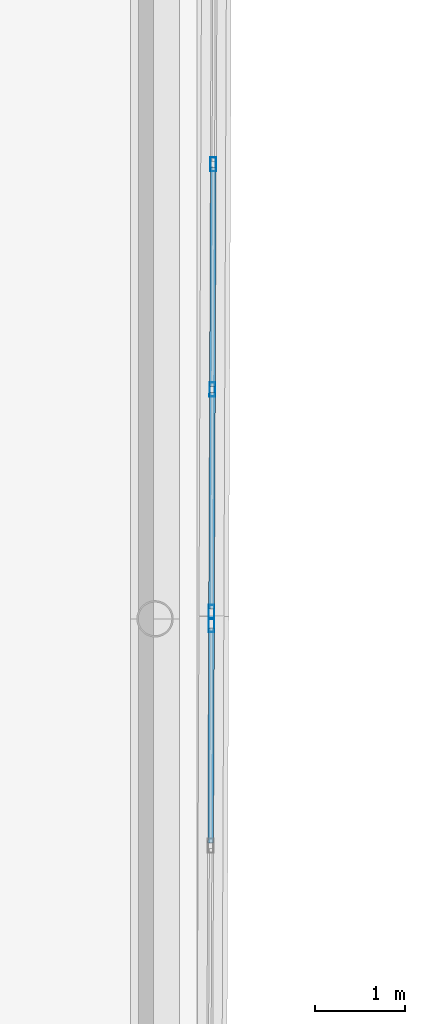
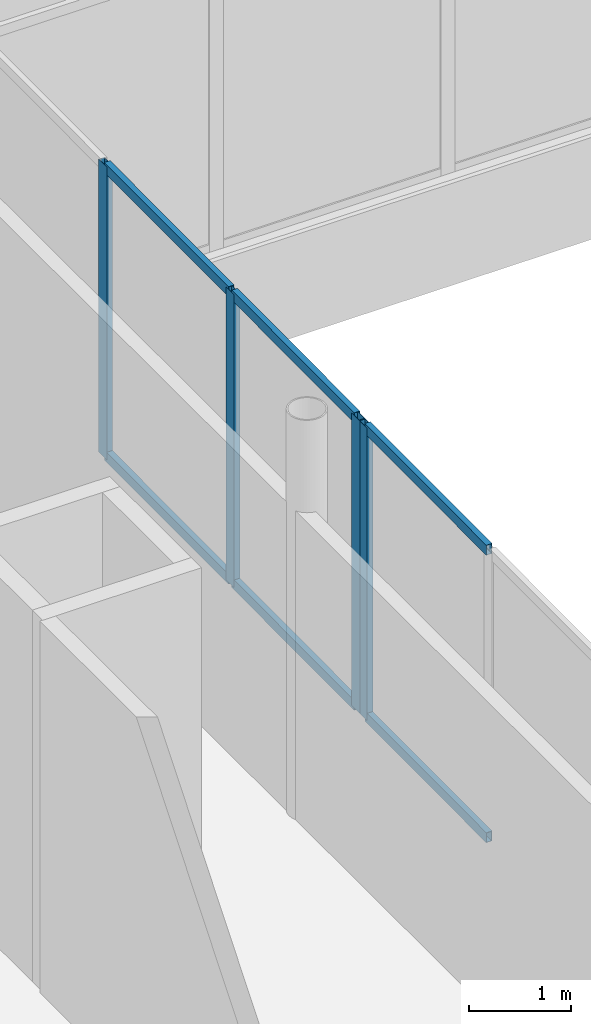
# One storey, part 41 of 168: 10 members, 2 elements without a shape of their own.
"""IFC4 building model written with IfcOpenShell, lengths in metres."""

from ifc_helpers import new_model, si_unit, direction, frame, origin, origin_2d, place, context, subcontext, project, spatial, hollow_rectangle, extrude, material, material_profile, profile_set, type_object, element, aggregate, save


model = new_model("IFC4")

# Units and contexts
model_context = context("Model", 3, precision=1e-05, world=origin(), true_north=direction((0.0, 1.0)))
body_context = subcontext(model_context, "Body", "Model", "MODEL_VIEW")
ifc_project = project(units=[si_unit("LENGTHUNIT", "METRE"), si_unit("AREAUNIT", "SQUARE_METRE"), si_unit("VOLUMEUNIT", "CUBIC_METRE"), si_unit("PLANEANGLEUNIT", "RADIAN"), si_unit("MASSUNIT", "GRAM", prefix="KILO")], contexts=[model_context])

# Site, building, storey
site_placement = place(None, origin())
site = spatial("IfcSite", under=ifc_project, at=site_placement, CompositionType="ELEMENT")
building_placement = place(site_placement, origin())
building = spatial("IfcBuilding", under=site, at=building_placement, Name="Selatvlak General Hospital", CompositionType="ELEMENT")
storey_placement = place(building_placement, frame((0.0, 0.0, 5.39990234375)))
storey = spatial("IfcBuildingStorey", under=building, at=storey_placement, Name="L01", CompositionType="ELEMENT", Elevation=5.39990234375)

# Curtain wall, members
ifc_material_1 = material(Name="Solar-control Low-E double glazing", Category="glass")
curtain_wall_type_1 = type_object("IfcCurtainWallType", Name="CW-CW-01", PredefinedType="USERDEFINED", material=ifc_material_1)
curtain_wall_1_placement = place(storey_placement, origin())
curtain_wall_1 = element("IfcCurtainWall", 1, at=curtain_wall_1_placement, inside=storey, type_object=curtain_wall_type_1, Name="Glazed facade curtain wall CW-L01-0229", ObjectType="UNITISED CURTAIN WALL", PredefinedType="USERDEFINED")
ifc_material_2 = material(Name="Dark anodised aluminium mullion", Category="aluminium")
ifc_material_profile_1 = material_profile(ifc_material_2, hollow_rectangle(XDim=0.06494140625, YDim=0.159912109375, WallThickness=0.00390625, at=origin_2d()), Name="AL-MUL 65x160x4")
ifc_profile_set_1 = profile_set([ifc_material_profile_1], Name="Dark anodised aluminium mullion")
member_type_1 = type_object("IfcMemberType", Name="CWM-01", PredefinedType="MULLION", material=ifc_profile_set_1)
member_1_placement = place(storey_placement, frame((40.25, 73.07177734375, 0.940185546875), z_axis=(0.0, 0.0, 1.0), x_axis=(0.999992084749, -0.003978748356, 0.0)))
member_1 = element("IfcMember", 2, at=member_1_placement, type_object=member_type_1, Name="CW-01 mullion 2", PredefinedType="MULLION", context=body_context, shape_type="SweptSolid", body=[
    extrude(hollow_rectangle(XDim=0.06494140625, YDim=0.159912109375, WallThickness=0.00390625, at=origin_2d()), origin(), (0.0, 0.0, 1.0), 3.5048828125),
])
member_2_placement = place(storey_placement, frame((40.239990234375, 70.558349609375, 0.940185546875), z_axis=(0.0, 0.0, 1.0), x_axis=(0.999992084749, -0.003978748356, 0.0)))
member_2 = element("IfcMember", 3, at=member_2_placement, type_object=member_type_1, Name="CW-01 mullion 3", PredefinedType="MULLION", context=body_context, shape_type="SweptSolid", body=[
    extrude(hollow_rectangle(XDim=0.06494140625, YDim=0.159912109375, WallThickness=0.00390625, at=origin_2d()), origin(), (0.0, 0.0, 1.0), 3.5048828125),
])
member_3_placement = place(storey_placement, frame((40.230224609375, 68.077392578125, 0.940185546875), z_axis=(0.0, 0.0, 1.0), x_axis=(0.999992084749, -0.003978748356, 0.0)))
member_3 = element("IfcMember", 4, at=member_3_placement, type_object=member_type_1, Name="CW-01 mullion 4", PredefinedType="MULLION", context=body_context, shape_type="SweptSolid", body=[
    extrude(hollow_rectangle(XDim=0.06494140625, YDim=0.159912109375, WallThickness=0.00390625, at=origin_2d()), origin(), (0.0, 0.0, 1.0), 3.5048828125),
])

# Curtain wall, member
curtain_wall_type_2 = type_object("IfcCurtainWallType", Name="CW-CW-02", PredefinedType="USERDEFINED", material=ifc_material_1)
curtain_wall_2_placement = place(storey_placement, origin())
curtain_wall_2 = element("IfcCurtainWall", 5, at=curtain_wall_2_placement, inside=storey, type_object=curtain_wall_type_2, Name="Glazed facade curtain wall CW-L01-0230", ObjectType="UNITISED CURTAIN WALL", PredefinedType="USERDEFINED")
member_4_placement = place(storey_placement, frame((40.22998046875, 67.9326171875, 0.940185546875), z_axis=(0.0, 0.0, 1.0), x_axis=(0.99999197872, -0.00400530832, 0.0)))
member_4 = element("IfcMember", 6, at=member_4_placement, type_object=member_type_1, Name="CW-02 mullion 1", PredefinedType="MULLION", context=body_context, shape_type="SweptSolid", body=[
    extrude(hollow_rectangle(XDim=0.06494140625, YDim=0.159912109375, WallThickness=0.00390625, at=origin_2d()), origin(), (0.0, 0.0, 1.0), 3.5048828125),
])

# Member
ifc_material_profile_2 = material_profile(ifc_material_2, hollow_rectangle(XDim=0.06494140625, YDim=0.1201171875, WallThickness=0.00390625, at=origin_2d()), Name="AL-TRN 65x120x4")
ifc_profile_set_2 = profile_set([ifc_material_profile_2], Name="Dark anodised aluminium mullion")
member_type_2 = type_object("IfcMemberType", Name="CWT-01", PredefinedType="USERDEFINED", material=ifc_profile_set_2)
member_5_placement = place(storey_placement, frame((40.249755859375, 73.0390625, 0.97265625), z_axis=(-0.003889081079, -0.999992437496, 0.0), x_axis=(0.999992437496, -0.003889081079, 0.0)))
member_5 = element("IfcMember", 7, at=member_5_placement, type_object=member_type_2, Name="CW-01 transom 2.1", ObjectType="TRANSOM", PredefinedType="USERDEFINED", context=body_context, shape_type="SweptSolid", body=[
    extrude(hollow_rectangle(XDim=0.06494140625, YDim=0.1201171875, WallThickness=0.00390625, at=origin_2d()), origin(), (0.0, 0.0, 1.0), 2.4482421875),
])

member_6_placement = place(storey_placement, frame((40.249755859375, 73.0390625, 4.41259765625), z_axis=(-0.003889081079, -0.999992437496, 0.0), x_axis=(0.999992437496, -0.003889081079, 0.0)))
member_6 = element("IfcMember", 8, at=member_6_placement, type_object=member_type_2, Name="CW-01 transom 2.2", ObjectType="TRANSOM", PredefinedType="USERDEFINED", context=body_context, shape_type="SweptSolid", body=[
    extrude(hollow_rectangle(XDim=0.06494140625, YDim=0.1201171875, WallThickness=0.00390625, at=origin_2d()), origin(), (0.0, 0.0, 1.0), 2.4482421875),
])

member_7_placement = place(storey_placement, frame((40.239990234375, 70.52587890625, 0.97265625), z_axis=(-0.00404241265, -0.999991829417, 0.0), x_axis=(0.999991829417, -0.00404241265, 0.0)))
member_7 = element("IfcMember", 9, at=member_7_placement, type_object=member_type_2, Name="CW-01 transom 3.1", ObjectType="TRANSOM", PredefinedType="USERDEFINED", context=body_context, shape_type="SweptSolid", body=[
    extrude(hollow_rectangle(XDim=0.06494140625, YDim=0.1201171875, WallThickness=0.00390625, at=origin_2d()), origin(), (0.0, 0.0, 1.0), 2.415771484375),
])

member_8_placement = place(storey_placement, frame((40.239990234375, 70.52587890625, 4.41259765625), z_axis=(-0.00404241265, -0.999991829417, 0.0), x_axis=(0.999991829417, -0.00404241265, 0.0)))
member_8 = element("IfcMember", 10, at=member_8_placement, type_object=member_type_2, Name="CW-01 transom 3.2", ObjectType="TRANSOM", PredefinedType="USERDEFINED", context=body_context, shape_type="SweptSolid", body=[
    extrude(hollow_rectangle(XDim=0.06494140625, YDim=0.1201171875, WallThickness=0.00390625, at=origin_2d()), origin(), (0.0, 0.0, 1.0), 2.415771484375),
])

aggregate(curtain_wall_1, [member_1, member_2, member_3, member_5, member_6, member_7, member_8])

member_9_placement = place(storey_placement, frame((40.229736328125, 67.89990234375, 0.97265625), z_axis=(-0.003968626526, -0.999992124971, 0.0), x_axis=(0.999992124971, -0.003968626526, 0.0)))
member_9 = element("IfcMember", 11, at=member_9_placement, type_object=member_type_2, Name="CW-02 transom 1.1", ObjectType="TRANSOM", PredefinedType="USERDEFINED", context=body_context, shape_type="SweptSolid", body=[
    extrude(hollow_rectangle(XDim=0.06494140625, YDim=0.1201171875, WallThickness=0.00390625, at=origin_2d()), origin(), (0.0, 0.0, 1.0), 2.399169921875),
])

member_10_placement = place(storey_placement, frame((40.229736328125, 67.89990234375, 4.41259765625), z_axis=(-0.003968626526, -0.999992124971, 0.0), x_axis=(0.999992124971, -0.003968626526, 0.0)))
member_10 = element("IfcMember", 12, at=member_10_placement, type_object=member_type_2, Name="CW-02 transom 1.2", ObjectType="TRANSOM", PredefinedType="USERDEFINED", context=body_context, shape_type="SweptSolid", body=[
    extrude(hollow_rectangle(XDim=0.06494140625, YDim=0.1201171875, WallThickness=0.00390625, at=origin_2d()), origin(), (0.0, 0.0, 1.0), 2.399169921875),
])

aggregate(curtain_wall_2, [member_4, member_9, member_10])

save(model, "model.ifc")
